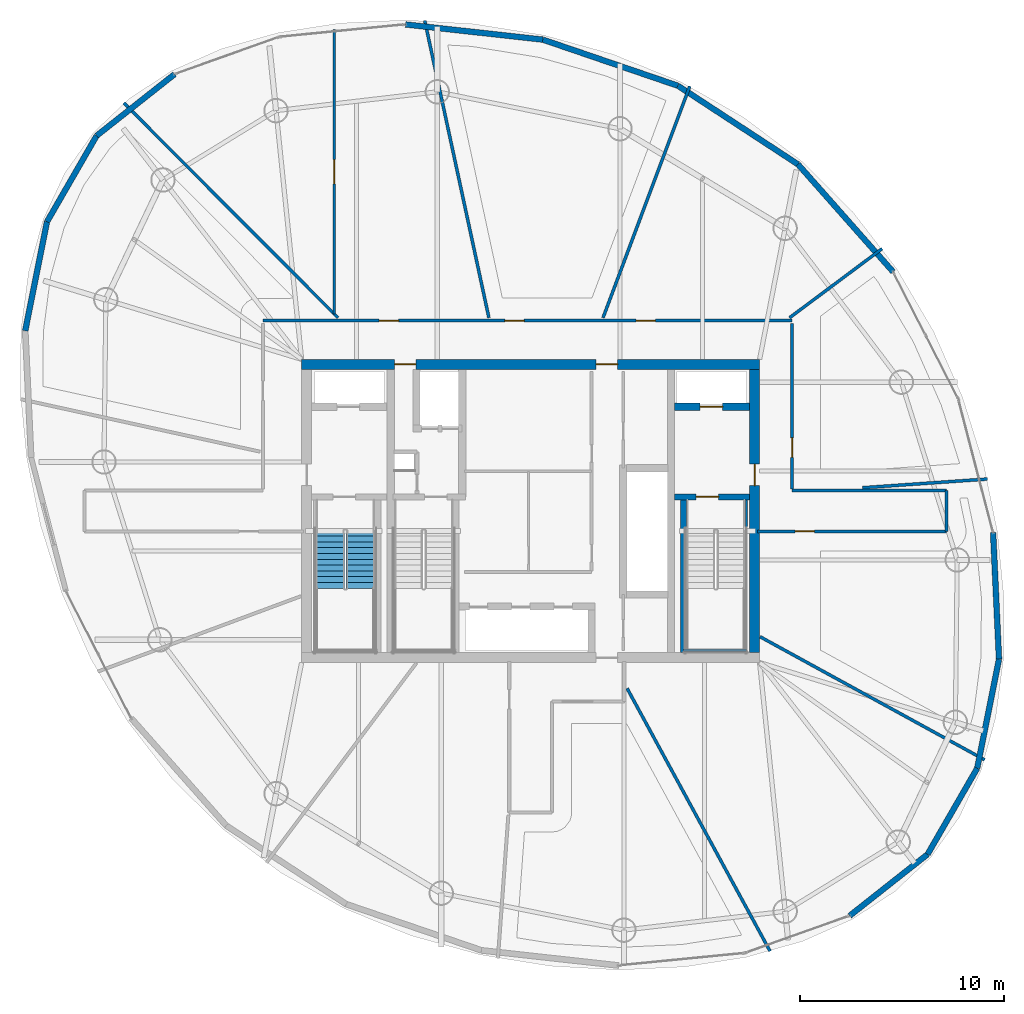
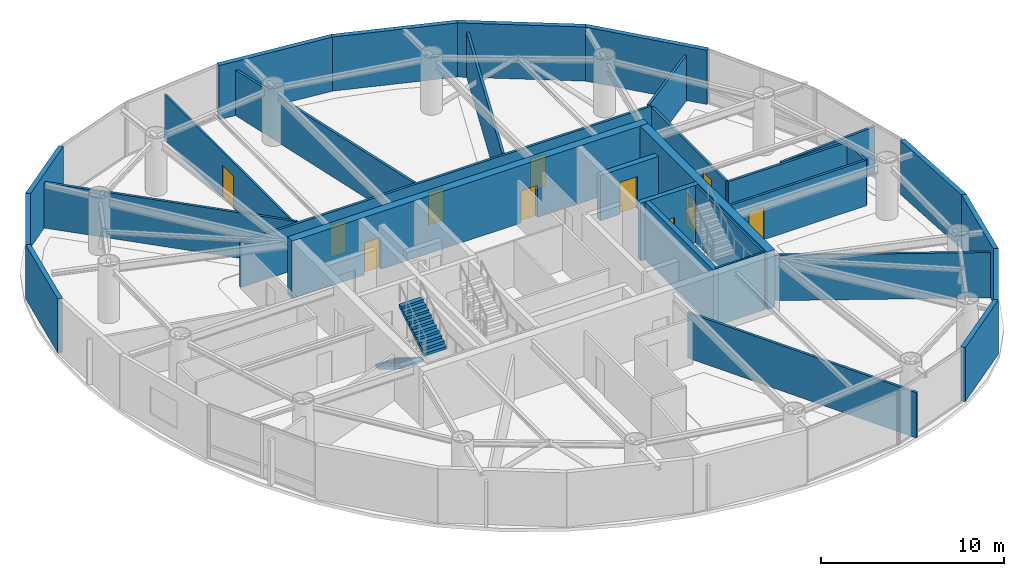
# One storey, part 19 of 23: 31 walls, 11 doors, 2 stair flights, 11 openings, 1 element without a shape of its own.
"""IFC4 building model written with IfcOpenShell, lengths in metres."""

from ifc_helpers import new_model, si_unit, direction, frame, frame_2d, origin, place, context, subcontext, project, spatial, polyline, rectangle, outline, extrude, material, layer, layer_set, type_object, element, fill, aggregate, save


model = new_model("IFC4")

# Units and contexts
model_context = context("Model", 3, precision=1e-05, world=origin(), true_north=direction((0.0, 1.0)))
body_context = subcontext(model_context, "Body", "Model", "MODEL_VIEW")
ifc_project = project(units=[si_unit("LENGTHUNIT", "METRE"), si_unit("AREAUNIT", "SQUARE_METRE"), si_unit("VOLUMEUNIT", "CUBIC_METRE"), si_unit("PLANEANGLEUNIT", "RADIAN"), si_unit("MASSUNIT", "GRAM", prefix="KILO")], contexts=[model_context])

# Site, building, storey
site_placement = place(None, origin())
site = spatial("IfcSite", under=ifc_project, at=site_placement, CompositionType="ELEMENT")
building_placement = place(site_placement, origin())
building = spatial("IfcBuilding", under=site, at=building_placement, Name="Bramvorn Convention Spire", CompositionType="ELEMENT")
storey_placement = place(building_placement, frame((0.0, 0.0, 194.300048828125)))
storey = spatial("IfcBuildingStorey", under=building, at=storey_placement, Name="L49", CompositionType="ELEMENT", Elevation=194.300048828125)

# Wall, openings, doors
ifc_material_1 = material(Name="Concrete C50/60", Category="concrete")
ifc_layer_1 = layer(ifc_material_1, 0.5)
ifc_layer_set_1 = layer_set([ifc_layer_1], Name="Concrete C50/60 - WL-CORE-500")
wall_type_1 = type_object("IfcWallType", Name="WL-CORE-500", PredefinedType="SHEAR", material=ifc_layer_set_1)
wall_1_placement = place(storey_placement, frame((26.75, 33.199951171875, 0.0), z_axis=(0.0, 0.0, 1.0), x_axis=(1.0, 0.0, 0.0)))
wall_1 = element("IfcWall", 1, at=wall_1_placement, inside=storey, type_object=wall_type_1, Name="L49 North RC core shear wall", PredefinedType="SHEAR", context=body_context, shape_type="SweptSolid", body=[
    extrude(rectangle(XDim=22.5, YDim=0.5, at=frame_2d((11.25, 0.0))), origin(), (0.0, 0.0, 1.0), 3.849853515625),
])
opening_1_placement = place(wall_1_placement, frame((4.570068359375, 0.0, 0.0)))
opening_1 = element("IfcOpeningElement", 2, at=opening_1_placement, cuts=wall_1, Name="Opening DL-105", PredefinedType="OPENING", context=body_context, shape_type="SweptSolid", body=[
    extrude(rectangle(XDim=1.050048828125, YDim=2.14990234375, at=frame_2d((0.52490234375, 1.074951171875))), frame((0.0, 0.260009765625, 0.0), z_axis=(0.0, -1.0, 0.0), x_axis=(1.0, 0.0, 0.0)), (0.0, 0.0, 1.0), 0.52001953125),
])
opening_2_placement = place(wall_1_placement, frame((14.469970703125, 0.0, 0.0)))
opening_2 = element("IfcOpeningElement", 3, at=opening_2_placement, cuts=wall_1, Name="Opening DL-105", PredefinedType="OPENING", context=body_context, shape_type="SweptSolid", body=[
    extrude(rectangle(XDim=1.050048828125, YDim=2.14990234375, at=frame_2d((0.52490234375, 1.074951171875))), frame((0.0, 0.260009765625, 0.0), z_axis=(0.0, -1.0, 0.0), x_axis=(1.0, 0.0, 0.0)), (0.0, 0.0, 1.0), 0.52001953125),
])
ifc_material_2 = material(Name="Smoke-Sealed Fire Lobby Timber-Core Door", Category="wood")
door_type_1 = type_object("IfcDoorType", Name="DR-LOBBY-1050", OperationType="NOTDEFINED", PredefinedType="DOOR", material=ifc_material_2)
door_1_placement = place(opening_1_placement, origin())
door_1 = element("IfcDoor", 4, at=door_1_placement, inside=storey, type_object=door_type_1, Name="L49 Service & Stair ST3 Lobby north corridor door", OperationType="SINGLE_SWING_LEFT", OverallHeight=2.14990234375, OverallWidth=1.050048828125, PredefinedType="DOOR", context=body_context, shape_type="SweptSolid", body=[
    extrude(rectangle(XDim=1.050048828125, YDim=2.14990234375, at=frame_2d((0.52490234375, 1.074951171875))), frame((0.0, 0.02490234375, 0.0), z_axis=(0.0, -1.0, 0.0), x_axis=(1.0, 0.0, 0.0)), (0.0, 0.0, 1.0), 0.050048828125),
])
fill(opening_1, door_1)
door_2_placement = place(opening_2_placement, origin())
door_2 = element("IfcDoor", 5, at=door_2_placement, inside=storey, type_object=door_type_1, Name="L49 North Lift Lobby fire door", OperationType="SINGLE_SWING_LEFT", OverallHeight=2.14990234375, OverallWidth=1.050048828125, PredefinedType="DOOR", context=body_context, shape_type="SweptSolid", body=[
    extrude(rectangle(XDim=1.050048828125, YDim=2.14990234375, at=frame_2d((0.52490234375, 1.074951171875))), frame((0.0, 0.02490234375, 0.0), z_axis=(0.0, -1.0, 0.0), x_axis=(1.0, 0.0, 0.0)), (0.0, 0.0, 1.0), 0.050048828125),
])
fill(opening_2, door_2)

# Wall, opening, door
wall_2_placement = place(storey_placement, frame((49.0, 19.050048828125, 0.0), z_axis=(0.0, 0.0, 1.0), x_axis=(0.0, 1.0, 0.0)))
wall_2 = element("IfcWall", 6, at=wall_2_placement, inside=storey, type_object=wall_type_1, Name="L49 East RC core shear wall", PredefinedType="SHEAR", context=body_context, shape_type="SweptSolid", body=[
    extrude(rectangle(XDim=13.89990234375, YDim=0.5, at=frame_2d((6.949951171875, 0.0))), origin(), (0.0, 0.0, 1.0), 3.849853515625),
])
opening_3_placement = place(wall_2_placement, frame((8.199951171875, 0.0, 0.0)))
opening_3 = element("IfcOpeningElement", 7, at=opening_3_placement, cuts=wall_2, Name="Opening DL-105", PredefinedType="OPENING", context=body_context, shape_type="SweptSolid", body=[
    extrude(rectangle(XDim=1.050048828125, YDim=2.14990234375, at=frame_2d((0.52490234375, 1.074951171875))), frame((0.0, 0.260009765625, 0.0), z_axis=(0.0, -1.0, 0.0), x_axis=(1.0, 0.0, 0.0)), (0.0, 0.0, 1.0), 0.52001953125),
])
door_3_placement = place(opening_3_placement, origin())
door_3 = element("IfcDoor", 8, at=door_3_placement, inside=storey, type_object=door_type_1, Name="L49 East Firefighting Lobby corridor door", OperationType="SINGLE_SWING_LEFT", OverallHeight=2.14990234375, OverallWidth=1.050048828125, PredefinedType="DOOR", context=body_context, shape_type="SweptSolid", body=[
    extrude(rectangle(XDim=1.050048828125, YDim=2.14990234375, at=frame_2d((0.52490234375, 1.074951171875))), frame((0.0, 0.02490234375, 0.0), z_axis=(0.0, -1.0, 0.0), x_axis=(1.0, 0.0, 0.0)), (0.0, 0.0, 1.0), 0.050048828125),
])
fill(opening_3, door_3)

ifc_layer_2 = layer(ifc_material_1, 0.35009765625)
ifc_layer_set_2 = layer_set([ifc_layer_2], Name="Concrete C50/60 - WL-CORE-INT-350")
wall_type_2 = type_object("IfcWallType", Name="WL-CORE-INT-350", PredefinedType="SHEAR", material=ifc_layer_set_2)
wall_3_placement = place(storey_placement, frame((45.080078125, 31.1201171875, 0.0), z_axis=(0.0, 0.0, 1.0), x_axis=(1.0, 0.0, 0.0)))
wall_3 = element("IfcWall", 9, at=wall_3_placement, inside=storey, type_object=wall_type_2, Name="L49 FE2 shaft front wall", PredefinedType="SHEAR", context=body_context, shape_type="SweptSolid", body=[
    extrude(rectangle(XDim=3.669921875, YDim=0.35009765625, at=frame_2d((1.8349609375, 0.0))), origin(), (0.0, 0.0, 1.0), 3.034912109375),
])
opening_4_placement = place(wall_3_placement, frame((1.25, 0.0, 0.0)))
opening_4 = element("IfcOpeningElement", 10, at=opening_4_placement, cuts=wall_3, Name="Opening LD-110", PredefinedType="OPENING", context=body_context, shape_type="SweptSolid", body=[
    extrude(rectangle(XDim=1.10009765625, YDim=2.14990234375, at=frame_2d((0.550048828125, 1.074951171875))), frame((0.0, 0.18505859375, 0.0), z_axis=(0.0, -1.0, 0.0), x_axis=(1.0, 0.0, 0.0)), (0.0, 0.0, 1.0), 0.3701171875),
])
ifc_material_3 = material(Name="Firefighting & Service Lift Sliding Landing Door", Category="steel")
door_type_2 = type_object("IfcDoorType", Name="DR-LIFT-LD-1100", OperationType="NOTDEFINED", PredefinedType="DOOR", material=ifc_material_3)
door_4_placement = place(opening_4_placement, origin())
door_4 = element("IfcDoor", 11, at=door_4_placement, inside=storey, type_object=door_type_2, Name="L49 Lift FE2 Sliding Landing Door", OperationType="SLIDING_TO_LEFT", OverallHeight=2.14990234375, OverallWidth=1.10009765625, PredefinedType="DOOR", context=body_context, shape_type="SweptSolid", body=[
    extrude(rectangle(XDim=1.10009765625, YDim=2.14990234375, at=frame_2d((0.550048828125, 1.074951171875))), frame((0.0, 0.02490234375, 0.0), z_axis=(0.0, -1.0, 0.0), x_axis=(1.0, 0.0, 0.0)), (0.0, 0.0, 1.0), 0.050048828125),
])
fill(opening_4, door_4)

# Walls
ifc_material_4 = material(Name="Precast Concrete C40/50 with Bronze Terracotta Rainscreen", Category="masonry")
ifc_layer_3 = layer(ifc_material_4, 0.300048828125)
ifc_layer_set_3 = layer_set([ifc_layer_3], Name="Precast Concrete C40/50 with Bronze Terracotta Rainscreen - WL-EXT-BRONZE-300")
wall_type_3 = type_object("IfcWallType", Name="WL-EXT-BRONZE-300", PredefinedType="SOLIDWALL", material=ifc_layer_set_3)
wall_4_placement = place(storey_placement, frame((59.9375, 13.361572265625, 0.0), z_axis=(0.0, 0.0, 1.0), x_axis=(-0.499747013388, -0.866171416412, 0.0)))
element("IfcWall", 12, at=wall_4_placement, inside=storey, type_object=wall_type_3, Name="L49 expressed bronze Gothic lancet pier wall 01", PredefinedType="SOLIDWALL", context=body_context, shape_type="SweptSolid", body=[
    extrude(rectangle(XDim=4.87646484375, YDim=0.280029296875, at=frame_2d((2.438232421875, 0.0))), origin(), (0.0, 0.0, 1.0), 3.619873046875),
])
wall_5_placement = place(storey_placement, frame((61.0078125, 18.72021484375, 0.0), z_axis=(0.0, 0.0, 1.0), x_axis=(-0.195866964802, -0.980630476836, 0.0)))
element("IfcWall", 13, at=wall_5_placement, inside=storey, type_object=wall_type_3, Name="L49 expressed bronze Gothic lancet pier wall 02", PredefinedType="SOLIDWALL", context=body_context, shape_type="SweptSolid", body=[
    extrude(rectangle(XDim=5.464599609375, YDim=0.280029296875, at=frame_2d((2.732421875, 0.0))), origin(), (0.0, 0.0, 1.0), 3.619873046875),
])
wall_6_placement = place(storey_placement, frame((60.7177734375, 24.939697265625, 0.0), z_axis=(0.0, 0.0, 1.0), x_axis=(0.046583329384, -0.998914407456, 0.0)))
element("IfcWall", 14, at=wall_6_placement, inside=storey, type_object=wall_type_3, Name="L49 expressed bronze Gothic lancet pier wall 03", PredefinedType="SOLIDWALL", context=body_context, shape_type="SweptSolid", body=[
    extrude(rectangle(XDim=6.226318359375, YDim=0.280029296875, at=frame_2d((3.11328125, 0.0))), origin(), (0.0, 0.0, 1.0), 3.619873046875),
])
wall_7_placement = place(storey_placement, frame((51.1357421875, 43.025634765625, 0.0), z_axis=(0.0, 0.0, 1.0), x_axis=(0.662684531264, -0.748898666058, 0.0)))
element("IfcWall", 15, at=wall_7_placement, inside=storey, type_object=wall_type_3, Name="L49 expressed bronze Gothic lancet pier wall 06", PredefinedType="SOLIDWALL", context=body_context, shape_type="SweptSolid", body=[
    extrude(rectangle(XDim=7.04541015625, YDim=0.280029296875, at=frame_2d((3.522705078125, 0.0))), origin(), (0.0, 0.0, 1.0), 3.619873046875),
])
wall_8_placement = place(storey_placement, frame((45.240478515625, 46.884033203125, 0.0), z_axis=(0.0, 0.0, 1.0), x_axis=(0.836722302194, -0.547627418059, 0.0)))
element("IfcWall", 16, at=wall_8_placement, inside=storey, type_object=wall_type_3, Name="L49 expressed bronze Gothic lancet pier wall 07", PredefinedType="SOLIDWALL", context=body_context, shape_type="SweptSolid", body=[
    extrude(rectangle(XDim=7.045654296875, YDim=0.280029296875, at=frame_2d((3.52294921875, 0.0))), origin(), (0.0, 0.0, 1.0), 3.619873046875),
])
wall_9_placement = place(storey_placement, frame((38.599609375, 49.15234375, 0.0), z_axis=(0.0, 0.0, 1.0), x_axis=(0.946319491837, -0.323232763452, 0.0)))
element("IfcWall", 17, at=wall_9_placement, inside=storey, type_object=wall_type_3, Name="L49 expressed bronze Gothic lancet pier wall 08", PredefinedType="SOLIDWALL", context=body_context, shape_type="SweptSolid", body=[
    extrude(rectangle(XDim=7.017578125, YDim=0.280029296875, at=frame_2d((3.5087890625, 0.0))), origin(), (0.0, 0.0, 1.0), 3.619873046875),
])
wall_10_placement = place(storey_placement, frame((31.85595703125, 49.896484375, 0.0), z_axis=(0.0, 0.0, 1.0), x_axis=(0.993966830352, -0.109681083879, 0.0)))
element("IfcWall", 18, at=wall_10_placement, inside=storey, type_object=wall_type_3, Name="L49 expressed bronze Gothic lancet pier wall 09", PredefinedType="SOLIDWALL", context=body_context, shape_type="SweptSolid", body=[
    extrude(rectangle(XDim=6.78466796875, YDim=0.280029296875, at=frame_2d((3.392333984375, 0.0))), origin(), (0.0, 0.0, 1.0), 3.619873046875),
])
for number, where, z_axis, x_axis, name in (
    (19, (16.68408203125, 44.431884765625, 0.0), (0.0, 0.0, 1.0), (0.784940432432, 0.619571236851, 0.0), "L49 expressed bronze Gothic lancet pier wall 12"),
    (20, (14.2470703125, 40.208251953125, 0.0), (0.0, 0.0, 1.0), (0.499768685558, 0.866158912057, 0.0), "L49 expressed bronze Gothic lancet pier wall 13"),
):
    element("IfcWall", number, at=place(storey_placement, frame(where, z_axis=z_axis, x_axis=x_axis)), inside=storey, type_object=wall_type_3, Name=name, PredefinedType="SOLIDWALL", context=body_context, shape_type="SweptSolid", body=[
        extrude(rectangle(XDim=4.876220703125, YDim=0.280029296875, at=frame_2d((2.43798828125, 0.0))), origin(), (0.0, 0.0, 1.0), 3.619873046875),
    ])
wall_11_placement = place(storey_placement, frame((13.1767578125, 34.849609375, 0.0), z_axis=(0.0, 0.0, 1.0), x_axis=(0.195866964802, 0.980630476836, 0.0)))
element("IfcWall", 21, at=wall_11_placement, inside=storey, type_object=wall_type_3, Name="L49 expressed bronze Gothic lancet pier wall 14", PredefinedType="SOLIDWALL", context=body_context, shape_type="SweptSolid", body=[
    extrude(rectangle(XDim=5.464599609375, YDim=0.280029296875, at=frame_2d((2.732421875, 0.0))), origin(), (0.0, 0.0, 1.0), 3.619873046875),
])
wall_12_placement = place(storey_placement, frame((57.50048828125, 9.1376953125, 0.0), z_axis=(0.0, 0.0, 1.0), x_axis=(-0.784964781181, -0.619540387953, 0.0)))
element("IfcWall", 22, at=wall_12_placement, inside=storey, type_object=wall_type_3, Name="L49 expressed bronze Gothic lancet pier wall 24", PredefinedType="SOLIDWALL", context=body_context, shape_type="SweptSolid", body=[
    extrude(rectangle(XDim=4.876220703125, YDim=0.280029296875, at=frame_2d((2.43798828125, 0.0))), origin(), (0.0, 0.0, 1.0), 3.619873046875),
])

# Wall, opening, door
ifc_material_5 = material(Name="Lightweight En-Suite & Wet-Wall Partition", Category="gypsum")
ifc_layer_4 = layer(ifc_material_5, 0.110107421875)
ifc_layer_set_4 = layer_set([ifc_layer_4], Name="Lightweight En-Suite & Wet-Wall Partition - WL-PART-110")
wall_type_4 = type_object("IfcWallType", Name="WL-PART-110", PredefinedType="PARTITIONING", material=ifc_layer_set_4)
wall_13_placement = place(storey_placement, frame((28.3505859375, 35.669921875, 0.0), z_axis=(0.0, 0.0, 1.0), x_axis=(0.0, 1.0, 0.0)))
wall_13 = element("IfcWall", 23, at=wall_13_placement, inside=storey, type_object=wall_type_4, Name="L49 Partner Private Office 1 inner suite partition", PredefinedType="PARTITIONING", context=body_context, shape_type="SweptSolid", body=[
    extrude(rectangle(XDim=13.98681640625, YDim=0.110107421875, at=frame_2d((6.993408203125, 0.0))), origin(), (0.0, 0.0, 1.0), 3.034912109375),
])
opening_5_placement = place(wall_13_placement, frame((6.393310546875, 0.0, 0.0)))
opening_5 = element("IfcOpeningElement", 24, at=opening_5_placement, cuts=wall_13, Name="Opening DSL-12", PredefinedType="OPENING", context=body_context, shape_type="SweptSolid", body=[
    extrude(rectangle(XDim=1.199951171875, YDim=2.14990234375, at=frame_2d((0.60009765625, 1.074951171875))), frame((0.0, 0.06494140625, 0.0), z_axis=(0.0, -1.0, 0.0), x_axis=(1.0, 0.0, 0.0)), (0.0, 0.0, 1.0), 0.130126953125),
])
ifc_material_6 = material(Name="Pocket Sliding Bronze-Framed Glass Suite Door", Category="glass")
door_type_3 = type_object("IfcDoorType", Name="DR-SLIDE-1200", OperationType="NOTDEFINED", PredefinedType="DOOR", material=ifc_material_6)
door_5_placement = place(opening_5_placement, origin())
door_5 = element("IfcDoor", 25, at=door_5_placement, inside=storey, type_object=door_type_3, Name="L49 Inner Suite 4 door", OperationType="SLIDING_TO_RIGHT", OverallHeight=2.14990234375, OverallWidth=1.199951171875, PredefinedType="DOOR", context=body_context, shape_type="SweptSolid", body=[
    extrude(rectangle(XDim=1.199951171875, YDim=2.14990234375, at=frame_2d((0.60009765625, 1.074951171875))), frame((0.0, 0.02490234375, 0.0), z_axis=(0.0, -1.0, 0.0), x_axis=(1.0, 0.0, 0.0)), (0.0, 0.0, 1.0), 0.050048828125),
])
fill(opening_5, door_5)

# Wall, openings, doors
ifc_material_7 = material(Name="Acoustic Metal-Stud Tenant/Corridor Partition", Category="gypsum")
ifc_layer_5 = layer(ifc_material_7, 0.14990234375)
ifc_layer_set_5 = layer_set([ifc_layer_5], Name="Acoustic Metal-Stud Tenant/Corridor Partition - WL-PART-150")
wall_type_5 = type_object("IfcWallType", Name="WL-PART-150", PredefinedType="PARTITIONING", material=ifc_layer_set_5)
wall_14_placement = place(storey_placement, frame((24.85009765625, 35.35009765625, 0.0), z_axis=(0.0, 0.0, 1.0), x_axis=(1.0, 0.0, 0.0)))
wall_14 = element("IfcWall", 26, at=wall_14_placement, inside=storey, type_object=wall_type_5, Name="L49 North gallery wall", PredefinedType="PARTITIONING", context=body_context, shape_type="SweptSolid", body=[
    extrude(rectangle(XDim=26.0, YDim=0.14990234375, at=frame_2d((13.0, 0.0))), origin(), (0.0, 0.0, 1.0), 3.034912109375),
])
opening_6_placement = place(wall_14_placement, frame((18.3271484375, 0.0, 0.0)))
opening_6 = element("IfcOpeningElement", 27, at=opening_6_placement, cuts=wall_14, Name="Opening DH-095", PredefinedType="OPENING", context=body_context, shape_type="SweptSolid", body=[
    extrude(rectangle(XDim=0.949951171875, YDim=2.14990234375, at=frame_2d((0.47509765625, 1.074951171875))), frame((0.0, 0.0849609375, 0.0), z_axis=(0.0, -1.0, 0.0), x_axis=(1.0, 0.0, 0.0)), (0.0, 0.0, 1.0), 0.169921875),
])
opening_7_placement = place(wall_14_placement, frame((11.880859375, 0.0, 0.0)))
opening_7 = element("IfcOpeningElement", 28, at=opening_7_placement, cuts=wall_14, Name="Opening DH-095", PredefinedType="OPENING", context=body_context, shape_type="SweptSolid", body=[
    extrude(rectangle(XDim=0.949951171875, YDim=2.14990234375, at=frame_2d((0.47509765625, 1.074951171875))), frame((0.0, 0.0849609375, 0.0), z_axis=(0.0, -1.0, 0.0), x_axis=(1.0, 0.0, 0.0)), (0.0, 0.0, 1.0), 0.169921875),
])
opening_8_placement = place(wall_14_placement, frame((5.71142578125, 0.0, 0.0)))
opening_8 = element("IfcOpeningElement", 29, at=opening_8_placement, cuts=wall_14, Name="Opening DH-095", PredefinedType="OPENING", context=body_context, shape_type="SweptSolid", body=[
    extrude(rectangle(XDim=0.949951171875, YDim=2.14990234375, at=frame_2d((0.47509765625, 1.074951171875))), frame((0.0, 0.0849609375, 0.0), z_axis=(0.0, -1.0, 0.0), x_axis=(1.0, 0.0, 0.0)), (0.0, 0.0, 1.0), 0.169921875),
])
ifc_material_8 = material(Name="Solid-Core Acoustic Guestroom Entry Door", Category="wood")
door_type_4 = type_object("IfcDoorType", Name="DR-HOTEL-950", OperationType="NOTDEFINED", PredefinedType="DOOR", material=ifc_material_8)
door_6_placement = place(opening_6_placement, origin())
door_6 = element("IfcDoor", 30, at=door_6_placement, inside=storey, type_object=door_type_4, Name="L49 Archive & Document Vault 2 2 door", OperationType="SINGLE_SWING_LEFT", OverallHeight=2.14990234375, OverallWidth=0.949951171875, PredefinedType="DOOR", context=body_context, shape_type="SweptSolid", body=[
    extrude(rectangle(XDim=0.949951171875, YDim=2.14990234375, at=frame_2d((0.47509765625, 1.074951171875))), frame((0.0, 0.02490234375, 0.0), z_axis=(0.0, -1.0, 0.0), x_axis=(1.0, 0.0, 0.0)), (0.0, 0.0, 1.0), 0.050048828125),
])
fill(opening_6, door_6)
door_7_placement = place(opening_7_placement, origin())
door_7 = element("IfcDoor", 31, at=door_7_placement, inside=storey, type_object=door_type_4, Name="L49 Archive & Print Store 3 3 door", OperationType="SINGLE_SWING_RIGHT", OverallHeight=2.14990234375, OverallWidth=0.949951171875, PredefinedType="DOOR", context=body_context, shape_type="SweptSolid", body=[
    extrude(rectangle(XDim=0.949951171875, YDim=2.14990234375, at=frame_2d((0.47509765625, 1.074951171875))), frame((0.0, 0.02490234375, 0.0), z_axis=(0.0, -1.0, 0.0), x_axis=(1.0, 0.0, 0.0)), (0.0, 0.0, 1.0), 0.050048828125),
])
fill(opening_7, door_7)
door_8_placement = place(opening_8_placement, origin())
door_8 = element("IfcDoor", 32, at=door_8_placement, inside=storey, type_object=door_type_4, Name="L49 Partner Private Office 1 4 door", OperationType="SINGLE_SWING_RIGHT", OverallHeight=2.14990234375, OverallWidth=0.949951171875, PredefinedType="DOOR", context=body_context, shape_type="SweptSolid", body=[
    extrude(rectangle(XDim=0.949951171875, YDim=2.14990234375, at=frame_2d((0.47509765625, 1.074951171875))), frame((0.0, 0.02490234375, 0.0), z_axis=(0.0, -1.0, 0.0), x_axis=(1.0, 0.0, 0.0)), (0.0, 0.0, 1.0), 0.050048828125),
])
fill(opening_8, door_8)

# Wall, opening, door
wall_15_placement = place(storey_placement, frame((50.85009765625, 27.080078125, 0.0), z_axis=(0.0, 0.0, 1.0), x_axis=(0.0, 1.0, 0.0)))
wall_15 = element("IfcWall", 33, at=wall_15_placement, inside=storey, type_object=wall_type_5, Name="L49 NE gallery cheek", PredefinedType="PARTITIONING", context=body_context, shape_type="SweptSolid", body=[
    extrude(rectangle(XDim=8.119873046875, YDim=0.14990234375, at=frame_2d((4.06005859375, 0.0))), origin(), (0.0, 0.0, 1.0), 3.034912109375),
])
opening_9_placement = place(wall_15_placement, frame((1.554931640625, 0.0, 0.0)))
opening_9 = element("IfcOpeningElement", 34, at=opening_9_placement, cuts=wall_15, Name="Opening DH-095", PredefinedType="OPENING", context=body_context, shape_type="SweptSolid", body=[
    extrude(rectangle(XDim=0.949951171875, YDim=2.14990234375, at=frame_2d((0.47509765625, 1.074951171875))), frame((0.0, 0.0849609375, 0.0), z_axis=(0.0, -1.0, 0.0), x_axis=(1.0, 0.0, 0.0)), (0.0, 0.0, 1.0), 0.169921875),
])
door_9_placement = place(opening_9_placement, origin())
door_9 = element("IfcDoor", 35, at=door_9_placement, inside=storey, type_object=door_type_4, Name="L49 Archive & Document Store 1 1 door", OperationType="SINGLE_SWING_RIGHT", OverallHeight=2.14990234375, OverallWidth=0.949951171875, PredefinedType="DOOR", context=body_context, shape_type="SweptSolid", body=[
    extrude(rectangle(XDim=0.949951171875, YDim=2.14990234375, at=frame_2d((0.47509765625, 1.074951171875))), frame((0.0, 0.02490234375, 0.0), z_axis=(0.0, -1.0, 0.0), x_axis=(1.0, 0.0, 0.0)), (0.0, 0.0, 1.0), 0.050048828125),
])
fill(opening_9, door_9)

# Wall
wall_16_placement = place(storey_placement, frame((50.85009765625, 27.0, 0.0), z_axis=(0.0, 0.0, 1.0), x_axis=(1.0, 0.0, 0.0)))
element("IfcWall", 36, at=wall_16_placement, inside=storey, type_object=wall_type_5, Name="L49 East wing spine north wall", PredefinedType="PARTITIONING", context=body_context, shape_type="SweptSolid", body=[
    extrude(rectangle(XDim=7.569091796875, YDim=0.14990234375, at=frame_2d((3.78466796875, 0.0))), origin(), (0.0, 0.0, 1.0), 3.034912109375),
])

# Wall, opening, door
wall_17_placement = place(storey_placement, frame((49.14990234375, 25.0, 0.0), z_axis=(0.0, 0.0, 1.0), x_axis=(1.0, 0.0, 0.0)))
wall_17 = element("IfcWall", 37, at=wall_17_placement, inside=storey, type_object=wall_type_5, Name="L49 East wing spine south wall", PredefinedType="PARTITIONING", context=body_context, shape_type="SweptSolid", body=[
    extrude(rectangle(XDim=9.269287109375, YDim=0.14990234375, at=frame_2d((4.634765625, 0.0))), origin(), (0.0, 0.0, 1.0), 3.034912109375),
])
opening_10_placement = place(wall_17_placement, frame((1.84228515625, 0.0, 0.0)))
opening_10 = element("IfcOpeningElement", 38, at=opening_10_placement, cuts=wall_17, Name="Opening DH-095", PredefinedType="OPENING", context=body_context, shape_type="SweptSolid", body=[
    extrude(rectangle(XDim=0.949951171875, YDim=2.14990234375, at=frame_2d((0.47509765625, 1.074951171875))), frame((0.0, 0.0849609375, 0.0), z_axis=(0.0, -1.0, 0.0), x_axis=(1.0, 0.0, 0.0)), (0.0, 0.0, 1.0), 0.169921875),
])
door_10_placement = place(opening_10_placement, origin())
door_10 = element("IfcDoor", 39, at=door_10_placement, inside=storey, type_object=door_type_4, Name="L49 Archive & Document Store 1 11 door", OperationType="SINGLE_SWING_LEFT", OverallHeight=2.14990234375, OverallWidth=0.949951171875, PredefinedType="DOOR", context=body_context, shape_type="SweptSolid", body=[
    extrude(rectangle(XDim=0.949951171875, YDim=2.14990234375, at=frame_2d((0.47509765625, 1.074951171875))), frame((0.0, 0.02490234375, 0.0), z_axis=(0.0, -1.0, 0.0), x_axis=(1.0, 0.0, 0.0)), (0.0, 0.0, 1.0), 0.050048828125),
])
fill(opening_10, door_10)

# Walls
wall_18_placement = place(storey_placement, frame((58.419189453125, 25.0, 0.0), z_axis=(0.0, 0.0, 1.0), x_axis=(0.0, 1.0, 0.0)))
element("IfcWall", 40, at=wall_18_placement, inside=storey, type_object=wall_type_5, Name="L49 East wing spine end wall", PredefinedType="PARTITIONING", context=body_context, shape_type="SweptSolid", body=[
    extrude(rectangle(XDim=2.0, YDim=0.14990234375, at=frame_2d((1.0, 0.0))), origin(), (0.0, 0.0, 1.0), 3.034912109375),
])
wall_19_placement = place(storey_placement, frame((54.302734375, 27.139892578125, 0.0), z_axis=(0.0, 0.0, 1.0), x_axis=(0.997563418291, 0.069765510725, 0.0)))
element("IfcWall", 41, at=wall_19_placement, inside=storey, type_object=wall_type_5, Name="L49 Tenant suite partition 1", PredefinedType="PARTITIONING", context=body_context, shape_type="SweptSolid", body=[
    extrude(rectangle(XDim=6.1484375, YDim=0.14990234375, at=frame_2d((3.07421875, 0.0))), origin(), (0.0, 0.0, 1.0), 3.034912109375),
])
wall_20_placement = place(storey_placement, frame((50.71923828125, 35.489990234375, 0.0), z_axis=(0.0, 0.0, 1.0), x_axis=(0.801479915385, 0.598021692947, 0.0)))
element("IfcWall", 42, at=wall_20_placement, inside=storey, type_object=wall_type_5, Name="L49 Tenant suite partition 2", PredefinedType="PARTITIONING", context=body_context, shape_type="SweptSolid", body=[
    extrude(rectangle(XDim=5.672119140625, YDim=0.14990234375, at=frame_2d((2.8359375, 0.0))), origin(), (0.0, 0.0, 1.0), 3.034912109375),
])
wall_21_placement = place(storey_placement, frame((41.556640625, 35.489990234375, 0.0), z_axis=(0.0, 0.0, 1.0), x_axis=(0.350958224888, 0.936391117206, 0.0)))
element("IfcWall", 43, at=wall_21_placement, inside=storey, type_object=wall_type_5, Name="L49 Tenant suite partition 3", PredefinedType="PARTITIONING", context=body_context, shape_type="SweptSolid", body=[
    extrude(rectangle(XDim=12.14599609375, YDim=0.14990234375, at=frame_2d((6.072998046875, 0.0))), origin(), (0.0, 0.0, 1.0), 3.034912109375),
])
wall_22_placement = place(storey_placement, frame((35.951416015625, 35.489990234375, 0.0), z_axis=(0.0, 0.0, 1.0), x_axis=(-0.211018834745, 0.977481995426, 0.0)))
element("IfcWall", 44, at=wall_22_placement, inside=storey, type_object=wall_type_5, Name="L49 Tenant suite partition 4", PredefinedType="PARTITIONING", context=body_context, shape_type="SweptSolid", body=[
    extrude(rectangle(XDim=14.938720703125, YDim=0.14990234375, at=frame_2d((7.46923828125, 0.0))), origin(), (0.0, 0.0, 1.0), 3.034912109375),
])
wall_23_placement = place(storey_placement, frame((28.5400390625, 35.489990234375, 0.0), z_axis=(0.0, 0.0, 1.0), x_axis=(-0.705984007836, 0.708227774575, 0.0)))
element("IfcWall", 45, at=wall_23_placement, inside=storey, type_object=wall_type_5, Name="L49 Tenant suite partition 5", PredefinedType="PARTITIONING", context=body_context, shape_type="SweptSolid", body=[
    extrude(rectangle(XDim=14.90673828125, YDim=0.14990234375, at=frame_2d((7.453369140625, 0.0))), origin(), (0.0, 0.0, 1.0), 3.034912109375),
])
wall_24_placement = place(storey_placement, frame((42.739990234375, 17.28662109375, 0.0), z_axis=(0.0, 0.0, 1.0), x_axis=(0.477854270456, -0.87843912493, 0.0)))
element("IfcWall", 46, at=wall_24_placement, inside=storey, type_object=wall_type_5, Name="L49 Tenant suite partition 10", PredefinedType="PARTITIONING", context=body_context, shape_type="SweptSolid", body=[
    extrude(rectangle(XDim=14.6953125, YDim=0.14990234375, at=frame_2d((7.34765625, 0.0))), origin(), (0.0, 0.0, 1.0), 3.034912109375),
])
wall_25_placement = place(storey_placement, frame((49.27001953125, 19.822998046875, 0.0), z_axis=(0.0, 0.0, 1.0), x_axis=(0.876915815603, -0.480643997513, 0.0)))
element("IfcWall", 47, at=wall_25_placement, inside=storey, type_object=wall_type_5, Name="L49 Tenant suite partition 11", PredefinedType="PARTITIONING", context=body_context, shape_type="SweptSolid", body=[
    extrude(rectangle(XDim=12.584228515625, YDim=0.14990234375, at=frame_2d((6.2919921875, 0.0))), origin(), (0.0, 0.0, 1.0), 3.034912109375),
])

# Wall, opening, door
ifc_layer_6 = layer(ifc_material_1, 0.300048828125)
ifc_layer_set_6 = layer_set([ifc_layer_6], Name="Concrete C50/60 - WL-POD-STAIR-300")
wall_type_6 = type_object("IfcWallType", Name="WL-POD-STAIR-300", PredefinedType="SHEAR", material=ifc_layer_set_6)
wall_26_placement = place(storey_placement, frame((45.080078125, 26.68994140625, 0.0), z_axis=(0.0, 0.0, 1.0), x_axis=(1.0, 0.0, 0.0)))
wall_26 = element("IfcWall", 48, at=wall_26_placement, inside=storey, type_object=wall_type_6, Name="L49 ST2 north fire wall", PredefinedType="SHEAR", context=body_context, shape_type="SweptSolid", body=[
    extrude(rectangle(XDim=3.669921875, YDim=0.300048828125, at=frame_2d((1.8349609375, 0.0))), origin(), (0.0, 0.0, 1.0), 3.849853515625),
])
opening_11_placement = place(wall_26_placement, frame((1.050048828125, 0.0, 0.0)))
opening_11 = element("IfcOpeningElement", 49, at=opening_11_placement, cuts=wall_26, Name="Opening DS-110", PredefinedType="OPENING", context=body_context, shape_type="SweptSolid", body=[
    extrude(rectangle(XDim=1.10009765625, YDim=2.14990234375, at=frame_2d((0.550048828125, 1.074951171875))), frame((0.0, 0.159912109375, 0.0), z_axis=(0.0, -1.0, 0.0), x_axis=(1.0, 0.0, 0.0)), (0.0, 0.0, 1.0), 0.320068359375),
])
ifc_material_9 = material(Name="Fire-Rated Hollow Steel Stairwell Door", Category="steel")
door_type_5 = type_object("IfcDoorType", Name="DR-STAIR-1100", OperationType="NOTDEFINED", PredefinedType="DOOR", material=ifc_material_9)
door_11_placement = place(opening_11_placement, origin())
door_11 = element("IfcDoor", 50, at=door_11_placement, inside=storey, type_object=door_type_5, Name="L49 Stair ST2 fire door", OperationType="SINGLE_SWING_RIGHT", OverallHeight=2.14990234375, OverallWidth=1.10009765625, PredefinedType="DOOR", context=body_context, shape_type="SweptSolid", body=[
    extrude(rectangle(XDim=1.10009765625, YDim=2.14990234375, at=frame_2d((0.550048828125, 1.074951171875))), frame((0.0, 0.02490234375, 0.0), z_axis=(0.0, -1.0, 0.0), x_axis=(1.0, 0.0, 0.0)), (0.0, 0.0, 1.0), 0.050048828125),
])
fill(opening_11, door_11)

# Walls
wall_27_placement = place(storey_placement, frame((45.510009765625, 19.050048828125, 0.0), z_axis=(0.0, 0.0, 1.0), x_axis=(0.0, 1.0, 0.0)))
element("IfcWall", 51, at=wall_27_placement, inside=storey, type_object=wall_type_6, Name="L49 ST2 west bearing wall", PredefinedType="SHEAR", context=body_context, shape_type="SweptSolid", body=[
    extrude(rectangle(XDim=7.5, YDim=0.300048828125, at=frame_2d((3.75, 0.0))), origin(), (0.0, 0.0, 1.0), 3.849853515625),
])
ifc_layer_7 = layer(ifc_material_1, 0.1201171875)
ifc_layer_set_7 = layer_set([ifc_layer_7], Name="Concrete C50/60 - WL-STAIR-RC-120")
wall_type_7 = type_object("IfcWallType", Name="WL-STAIR-RC-120", PredefinedType="SHEAR", material=ifc_layer_set_7)
wall_28_placement = place(storey_placement, frame((48.60498046875, 19.10009765625, 0.0), z_axis=(0.0, 0.0, 1.0), x_axis=(0.0, 1.0, 0.0)))
element("IfcWall", 52, at=wall_28_placement, inside=storey, type_object=wall_type_7, Name="L49 ST2 east bearing shear wall", PredefinedType="SHEAR", context=body_context, shape_type="SweptSolid", body=[
    extrude(rectangle(XDim=7.449951171875, YDim=0.1201171875, at=frame_2d((3.72509765625, 0.0))), origin(), (0.0, 0.0, 1.0), 3.849853515625),
])
wall_29_placement = place(storey_placement, frame((45.510009765625, 19.159912109375, 0.0), z_axis=(0.0, 0.0, 1.0), x_axis=(1.0, 0.0, 0.0)))
element("IfcWall", 53, at=wall_29_placement, inside=storey, type_object=wall_type_7, Name="L49 ST2 south bearing shear wall", PredefinedType="SHEAR", context=body_context, shape_type="SweptSolid", body=[
    extrude(rectangle(XDim=3.094970703125, YDim=0.1201171875, at=frame_2d((1.54736328125, 0.0))), origin(), (0.0, 0.0, 1.0), 3.849853515625),
])

# Stair, stair flights
ifc_material_10 = material(Name="Concrete C40/50 Precast Stair", Category="concrete")
stair_type = type_object("IfcStairType", Name="ST-TOWER-1550", PredefinedType="HALF_TURN_STAIR", material=ifc_material_10)
stair_placement = place(storey_placement, origin())
stair = element("IfcStair", 54, at=stair_placement, inside=storey, type_object=stair_type, Name="L49 Protected Exit Stair ST1", PredefinedType="HALF_TURN_STAIR")
ifc_material_11 = material(Name="Concrete C40/50 Precast Stair Flight", Category="concrete")
stair_flight_type = type_object("IfcStairFlightType", Name="STF-TOWER-1550", PredefinedType="STRAIGHT", material=ifc_material_11)
stair_flight_1_placement = place(storey_placement, frame((28.155029296875, 25.050048828125, 0.0), z_axis=(0.0, 0.0, 1.0), x_axis=(0.0, -1.0, 0.0)))
stair_flight_1 = element("IfcStairFlight", 55, at=stair_flight_1_placement, type_object=stair_flight_type, Name="ST1 flight 1", NumberOfRisers=11, NumberOfTreads=10, PredefinedType="STRAIGHT", RiserHeight=0.175, TreadLength=0.285, context=body_context, shape_type="SweptSolid", body=[
    extrude(outline(polyline([(0.0, 0.0), (0.0, 0.175048828125), (0.284912109375, 0.175048828125), (0.284912109375, 0.35009765625), (0.570068359375, 0.35009765625), (0.570068359375, 0.52490234375), (0.85498046875, 0.52490234375), (0.85498046875, 0.699951171875), (1.139892578125, 0.699951171875), (1.139892578125, 0.875), (1.425048828125, 0.875), (1.425048828125, 1.050048828125), (1.7099609375, 1.050048828125), (1.7099609375, 1.22509765625), (1.9951171875, 1.22509765625), (1.9951171875, 1.39990234375), (2.280029296875, 1.39990234375), (2.280029296875, 1.574951171875), (2.56494140625, 1.574951171875), (2.56494140625, 1.75), (2.85009765625, 1.75), (2.85009765625, 1.925048828125), (2.85009765625, 1.573974609375), (0.286376953125, 0.0), (0.0, 0.0)])), frame((0.0, 0.705078125, 0.0), z_axis=(0.0, -1.0, 0.0), x_axis=(1.0, 0.0, 0.0)), (0.0, 0.0, 1.0), 1.409912109375),
])
stair_flight_2_placement = place(storey_placement, frame((29.64501953125, 22.199951171875, 1.925048828125), z_axis=(0.0, 0.0, 1.0), x_axis=(0.0, 1.0, 0.0)))
stair_flight_2 = element("IfcStairFlight", 56, at=stair_flight_2_placement, type_object=stair_flight_type, Name="ST1 flight 2", NumberOfRisers=11, NumberOfTreads=10, PredefinedType="STRAIGHT", RiserHeight=0.175, TreadLength=0.285, context=body_context, shape_type="SweptSolid", body=[
    extrude(outline(polyline([(0.0, 0.0), (0.0, 0.175048828125), (0.284912109375, 0.175048828125), (0.284912109375, 0.35009765625), (0.570068359375, 0.35009765625), (0.570068359375, 0.52490234375), (0.85498046875, 0.52490234375), (0.85498046875, 0.699951171875), (1.139892578125, 0.699951171875), (1.139892578125, 0.875), (1.425048828125, 0.875), (1.425048828125, 1.050048828125), (1.7099609375, 1.050048828125), (1.7099609375, 1.22509765625), (1.9951171875, 1.22509765625), (1.9951171875, 1.39990234375), (2.280029296875, 1.39990234375), (2.280029296875, 1.574951171875), (2.56494140625, 1.574951171875), (2.56494140625, 1.75), (2.85009765625, 1.75), (2.85009765625, 1.925048828125), (2.85009765625, 1.573974609375), (0.286376953125, 0.0), (0.0, 0.0)])), frame((0.0, 0.705078125, 0.0), z_axis=(0.0, -1.0, 0.0), x_axis=(1.0, 0.0, 0.0)), (0.0, 0.0, 1.0), 1.409912109375),
])
aggregate(stair, [stair_flight_1, stair_flight_2])

save(model, "model.ifc")
